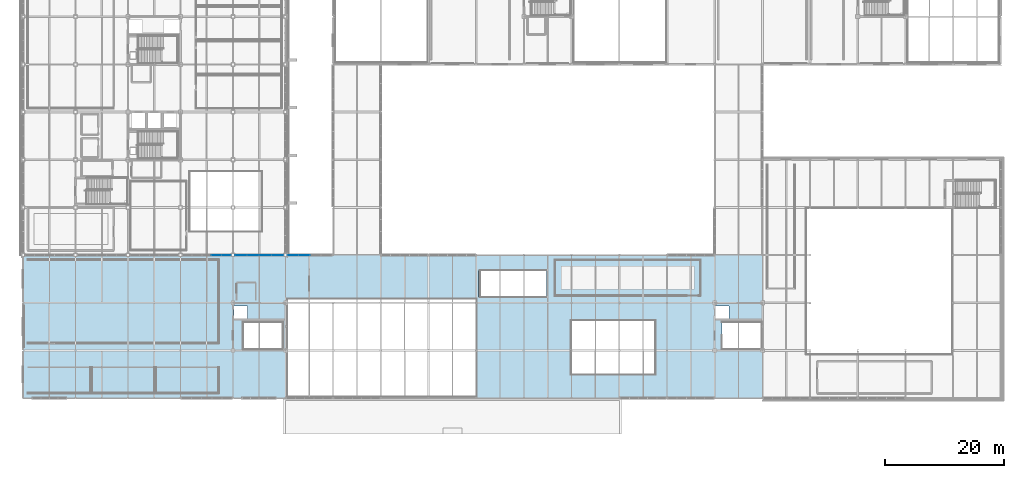
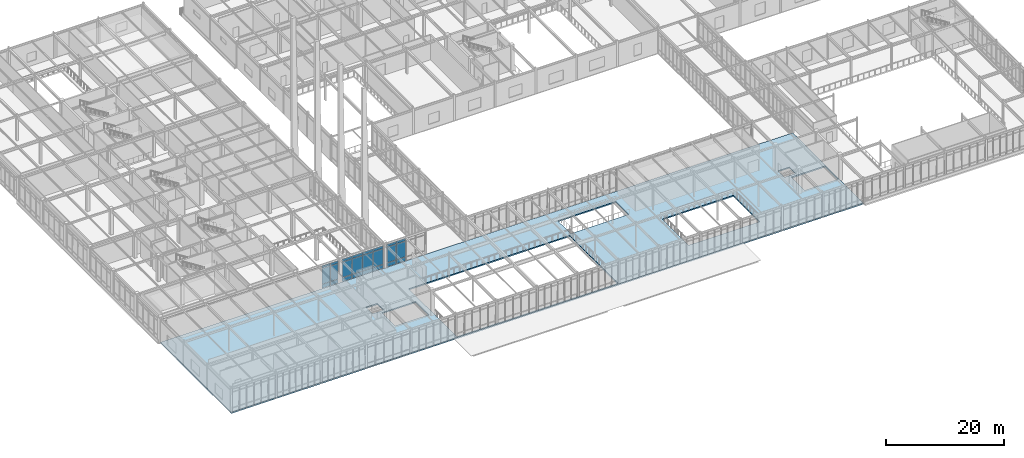
# One storey, part 85 of 184: 24 plates, 1 slab, 3 elements without a shape of their own.
"""IFC4 building model written with IfcOpenShell, lengths in metres."""

from ifc_helpers import new_model, si_unit, direction, frame, origin, origin_2d, place, context, subcontext, project, spatial, polyline, rectangle, outline, extrude, material, layer, layer_set, type_object, element, aggregate, save


model = new_model("IFC4")

# Units and contexts
model_context = context("Model", 3, precision=1e-05, world=origin(), true_north=direction((0.0, 1.0)))
body_context = subcontext(model_context, "Body", "Model", "MODEL_VIEW")
ifc_project = project(units=[si_unit("LENGTHUNIT", "METRE"), si_unit("AREAUNIT", "SQUARE_METRE"), si_unit("VOLUMEUNIT", "CUBIC_METRE"), si_unit("PLANEANGLEUNIT", "RADIAN"), si_unit("MASSUNIT", "GRAM", prefix="KILO")], contexts=[model_context])

# Site, building, storey
site_placement = place(None, origin())
site = spatial("IfcSite", under=ifc_project, at=site_placement, CompositionType="ELEMENT")
building_placement = place(site_placement, origin())
building = spatial("IfcBuilding", under=site, at=building_placement, Name="Zhaolan Boulevard Law Courts", CompositionType="ELEMENT")
storey_placement = place(building_placement, frame((0.0, 0.0, 5.39990234375)))
storey = spatial("IfcBuildingStorey", under=building, at=storey_placement, Name="L01", CompositionType="ELEMENT", Elevation=5.39990234375)

# Curtain wall, plates
ifc_material_1 = material(Name="Thermally broken aluminium and low-E glazing", Category="aluminium")
curtain_wall_type_1 = type_object("IfcCurtainWallType", Name="CURTAIN WALL M22", PredefinedType="USERDEFINED", material=ifc_material_1)
curtain_wall_1_placement = place(storey_placement, origin())
curtain_wall_1 = element("IfcCurtainWall", 1, at=curtain_wall_1_placement, inside=storey, type_object=curtain_wall_type_1, Name="Curtain Wall CW-L01-046", ObjectType="CURTAIN WALL", PredefinedType="USERDEFINED")
ifc_material_2 = material(Name="Acoustic laminated low-E glazing", Category="glass")
ifc_layer_1 = layer(ifc_material_2, 0.031982421875)
ifc_layer_set_1 = layer_set([ifc_layer_1])
plate_type = type_object("IfcPlateType", Name="CWPANEL LOW E32", PredefinedType="CURTAIN_PANEL", material=ifc_layer_set_1)
plate_1_placement = place(storey_placement, frame((34.062255859375, 30.0, 0.06494140625), z_axis=(0.0, 0.0, 1.0), x_axis=(-1.0, 0.0, 0.0)))
plate_1 = element("IfcPlate", 2, at=plate_1_placement, type_object=plate_type, Name="CW-L01-046 panel 1.1", PredefinedType="CURTAIN_PANEL", context=body_context, shape_type="SweptSolid", body=[
    extrude(rectangle(XDim=1.541748046875, YDim=0.031982421875, at=origin_2d()), origin(), (0.0, 0.0, 1.0), 0.802490234375),
])
plate_2_placement = place(storey_placement, frame((34.062255859375, 30.0, 0.9326171875), z_axis=(0.0, 0.0, 1.0), x_axis=(-1.0, 0.0, 0.0)))
plate_2 = element("IfcPlate", 3, at=plate_2_placement, type_object=plate_type, Name="CW-L01-046 panel 1.2", PredefinedType="CURTAIN_PANEL", context=body_context, shape_type="SweptSolid", body=[
    extrude(rectangle(XDim=1.541748046875, YDim=0.031982421875, at=origin_2d()), origin(), (0.0, 0.0, 1.0), 3.2080078125),
])
plate_3_placement = place(storey_placement, frame((34.062255859375, 30.0, 4.20556640625), z_axis=(0.0, 0.0, 1.0), x_axis=(-1.0, 0.0, 0.0)))
plate_3 = element("IfcPlate", 4, at=plate_3_placement, type_object=plate_type, Name="CW-L01-046 panel 1.3", PredefinedType="CURTAIN_PANEL", context=body_context, shape_type="SweptSolid", body=[
    extrude(rectangle(XDim=1.541748046875, YDim=0.031982421875, at=origin_2d()), origin(), (0.0, 0.0, 1.0), 0.552490234375),
])
plate_4_placement = place(storey_placement, frame((32.439208984375, 30.0, 0.06494140625), z_axis=(0.0, 0.0, 1.0), x_axis=(-1.0, 0.0, 0.0)))
plate_4 = element("IfcPlate", 5, at=plate_4_placement, type_object=plate_type, Name="CW-L01-046 panel 2.1", PredefinedType="CURTAIN_PANEL", context=body_context, shape_type="SweptSolid", body=[
    extrude(rectangle(XDim=1.57421875, YDim=0.031982421875, at=origin_2d()), origin(), (0.0, 0.0, 1.0), 0.802490234375),
])
plate_5_placement = place(storey_placement, frame((32.439208984375, 30.0, 0.9326171875), z_axis=(0.0, 0.0, 1.0), x_axis=(-1.0, 0.0, 0.0)))
plate_5 = element("IfcPlate", 6, at=plate_5_placement, type_object=plate_type, Name="CW-L01-046 panel 2.2", PredefinedType="CURTAIN_PANEL", context=body_context, shape_type="SweptSolid", body=[
    extrude(rectangle(XDim=1.57421875, YDim=0.031982421875, at=origin_2d()), origin(), (0.0, 0.0, 1.0), 3.2080078125),
])
plate_6_placement = place(storey_placement, frame((32.439208984375, 30.0, 4.20556640625), z_axis=(0.0, 0.0, 1.0), x_axis=(-1.0, 0.0, 0.0)))
plate_6 = element("IfcPlate", 7, at=plate_6_placement, type_object=plate_type, Name="CW-L01-046 panel 2.3", PredefinedType="CURTAIN_PANEL", context=body_context, shape_type="SweptSolid", body=[
    extrude(rectangle(XDim=1.57421875, YDim=0.031982421875, at=origin_2d()), origin(), (0.0, 0.0, 1.0), 0.552490234375),
])
aggregate(curtain_wall_1, [plate_1, plate_2, plate_3, plate_4, plate_5, plate_6])

ifc_material_3 = material(Name="Thermally broken aluminium and low-E glazing", Category="aluminium")
curtain_wall_type_2 = type_object("IfcCurtainWallType", Name="CURTAIN WALL M23", PredefinedType="USERDEFINED", material=ifc_material_3)
curtain_wall_2_placement = place(storey_placement, origin())
curtain_wall_2 = element("IfcCurtainWall", 8, at=curtain_wall_2_placement, inside=storey, type_object=curtain_wall_type_2, Name="Curtain Wall CW-L01-047", ObjectType="CURTAIN WALL", PredefinedType="USERDEFINED")
plate_7_placement = place(storey_placement, frame((42.6572265625, 30.0, 0.06494140625), z_axis=(0.0, 0.0, 1.0), x_axis=(-1.0, 0.0, 0.0)))
plate_7 = element("IfcPlate", 9, at=plate_7_placement, type_object=plate_type, Name="CW-L01-047 panel 1.1", PredefinedType="CURTAIN_PANEL", context=body_context, shape_type="SweptSolid", body=[
    extrude(rectangle(XDim=1.951416015625, YDim=0.031982421875, at=origin_2d()), origin(), (0.0, 0.0, 1.0), 0.802490234375),
])
plate_8_placement = place(storey_placement, frame((42.6572265625, 30.0, 0.9326171875), z_axis=(0.0, 0.0, 1.0), x_axis=(-1.0, 0.0, 0.0)))
plate_8 = element("IfcPlate", 10, at=plate_8_placement, type_object=plate_type, Name="CW-L01-047 panel 1.2", PredefinedType="CURTAIN_PANEL", context=body_context, shape_type="SweptSolid", body=[
    extrude(rectangle(XDim=1.951416015625, YDim=0.031982421875, at=origin_2d()), origin(), (0.0, 0.0, 1.0), 3.2080078125),
])
plate_9_placement = place(storey_placement, frame((42.6572265625, 30.0, 4.20556640625), z_axis=(0.0, 0.0, 1.0), x_axis=(-1.0, 0.0, 0.0)))
plate_9 = element("IfcPlate", 11, at=plate_9_placement, type_object=plate_type, Name="CW-L01-047 panel 1.3", PredefinedType="CURTAIN_PANEL", context=body_context, shape_type="SweptSolid", body=[
    extrude(rectangle(XDim=1.951416015625, YDim=0.031982421875, at=origin_2d()), origin(), (0.0, 0.0, 1.0), 0.552490234375),
])
plate_10_placement = place(storey_placement, frame((40.62451171875, 30.0, 0.06494140625), z_axis=(0.0, 0.0, 1.0), x_axis=(-1.0, 0.0, 0.0)))
plate_10 = element("IfcPlate", 12, at=plate_10_placement, type_object=plate_type, Name="CW-L01-047 panel 2.1", PredefinedType="CURTAIN_PANEL", context=body_context, shape_type="SweptSolid", body=[
    extrude(rectangle(XDim=1.98388671875, YDim=0.031982421875, at=origin_2d()), origin(), (0.0, 0.0, 1.0), 0.802490234375),
])
plate_11_placement = place(storey_placement, frame((40.62451171875, 30.0, 0.9326171875), z_axis=(0.0, 0.0, 1.0), x_axis=(-1.0, 0.0, 0.0)))
plate_11 = element("IfcPlate", 13, at=plate_11_placement, type_object=plate_type, Name="CW-L01-047 panel 2.2", PredefinedType="CURTAIN_PANEL", context=body_context, shape_type="SweptSolid", body=[
    extrude(rectangle(XDim=1.98388671875, YDim=0.031982421875, at=origin_2d()), origin(), (0.0, 0.0, 1.0), 3.2080078125),
])
plate_12_placement = place(storey_placement, frame((40.62451171875, 30.0, 4.20556640625), z_axis=(0.0, 0.0, 1.0), x_axis=(-1.0, 0.0, 0.0)))
plate_12 = element("IfcPlate", 14, at=plate_12_placement, type_object=plate_type, Name="CW-L01-047 panel 2.3", PredefinedType="CURTAIN_PANEL", context=body_context, shape_type="SweptSolid", body=[
    extrude(rectangle(XDim=1.98388671875, YDim=0.031982421875, at=origin_2d()), origin(), (0.0, 0.0, 1.0), 0.552490234375),
])
plate_13_placement = place(storey_placement, frame((38.575439453125, 30.0, 0.06494140625), z_axis=(0.0, 0.0, 1.0), x_axis=(-1.0, 0.0, 0.0)))
plate_13 = element("IfcPlate", 15, at=plate_13_placement, type_object=plate_type, Name="CW-L01-047 panel 3.1", PredefinedType="CURTAIN_PANEL", context=body_context, shape_type="SweptSolid", body=[
    extrude(rectangle(XDim=1.98388671875, YDim=0.031982421875, at=origin_2d()), origin(), (0.0, 0.0, 1.0), 0.802490234375),
])
plate_14_placement = place(storey_placement, frame((38.575439453125, 30.0, 0.9326171875), z_axis=(0.0, 0.0, 1.0), x_axis=(-1.0, 0.0, 0.0)))
plate_14 = element("IfcPlate", 16, at=plate_14_placement, type_object=plate_type, Name="CW-L01-047 panel 3.2", PredefinedType="CURTAIN_PANEL", context=body_context, shape_type="SweptSolid", body=[
    extrude(rectangle(XDim=1.98388671875, YDim=0.031982421875, at=origin_2d()), origin(), (0.0, 0.0, 1.0), 3.2080078125),
])
plate_15_placement = place(storey_placement, frame((38.575439453125, 30.0, 4.20556640625), z_axis=(0.0, 0.0, 1.0), x_axis=(-1.0, 0.0, 0.0)))
plate_15 = element("IfcPlate", 17, at=plate_15_placement, type_object=plate_type, Name="CW-L01-047 panel 3.3", PredefinedType="CURTAIN_PANEL", context=body_context, shape_type="SweptSolid", body=[
    extrude(rectangle(XDim=1.98388671875, YDim=0.031982421875, at=origin_2d()), origin(), (0.0, 0.0, 1.0), 0.552490234375),
])
plate_16_placement = place(storey_placement, frame((36.542724609375, 30.0, 0.06494140625), z_axis=(0.0, 0.0, 1.0), x_axis=(-1.0, 0.0, 0.0)))
plate_16 = element("IfcPlate", 18, at=plate_16_placement, type_object=plate_type, Name="CW-L01-047 panel 4.1", PredefinedType="CURTAIN_PANEL", context=body_context, shape_type="SweptSolid", body=[
    extrude(rectangle(XDim=1.951416015625, YDim=0.031982421875, at=origin_2d()), origin(), (0.0, 0.0, 1.0), 0.802490234375),
])
plate_17_placement = place(storey_placement, frame((36.542724609375, 30.0, 0.9326171875), z_axis=(0.0, 0.0, 1.0), x_axis=(-1.0, 0.0, 0.0)))
plate_17 = element("IfcPlate", 19, at=plate_17_placement, type_object=plate_type, Name="CW-L01-047 panel 4.2", PredefinedType="CURTAIN_PANEL", context=body_context, shape_type="SweptSolid", body=[
    extrude(rectangle(XDim=1.951416015625, YDim=0.031982421875, at=origin_2d()), origin(), (0.0, 0.0, 1.0), 3.2080078125),
])
plate_18_placement = place(storey_placement, frame((36.542724609375, 30.0, 4.20556640625), z_axis=(0.0, 0.0, 1.0), x_axis=(-1.0, 0.0, 0.0)))
plate_18 = element("IfcPlate", 20, at=plate_18_placement, type_object=plate_type, Name="CW-L01-047 panel 4.3", PredefinedType="CURTAIN_PANEL", context=body_context, shape_type="SweptSolid", body=[
    extrude(rectangle(XDim=1.951416015625, YDim=0.031982421875, at=origin_2d()), origin(), (0.0, 0.0, 1.0), 0.552490234375),
])
aggregate(curtain_wall_2, [plate_7, plate_8, plate_9, plate_10, plate_11, plate_12, plate_13, plate_14, plate_15, plate_16, plate_17, plate_18])

ifc_material_4 = material(Name="Thermally broken aluminium and low-E glazing", Category="aluminium")
curtain_wall_type_3 = type_object("IfcCurtainWallType", Name="CURTAIN WALL M24", PredefinedType="USERDEFINED", material=ifc_material_4)
curtain_wall_3_placement = place(storey_placement, origin())
curtain_wall_3 = element("IfcCurtainWall", 21, at=curtain_wall_3_placement, inside=storey, type_object=curtain_wall_type_3, Name="Curtain Wall CW-L01-048", ObjectType="CURTAIN WALL", PredefinedType="USERDEFINED")
plate_19_placement = place(storey_placement, frame((47.14111328125, 30.0, 0.06494140625), z_axis=(0.0, 0.0, 1.0), x_axis=(-1.0, 0.0, 0.0)))
plate_19 = element("IfcPlate", 22, at=plate_19_placement, type_object=plate_type, Name="CW-L01-048 panel 3.1", PredefinedType="CURTAIN_PANEL", context=body_context, shape_type="SweptSolid", body=[
    extrude(rectangle(XDim=1.82763671875, YDim=0.031982421875, at=origin_2d()), origin(), (0.0, 0.0, 1.0), 0.802490234375),
])
plate_20_placement = place(storey_placement, frame((47.14111328125, 30.0, 0.9326171875), z_axis=(0.0, 0.0, 1.0), x_axis=(-1.0, 0.0, 0.0)))
plate_20 = element("IfcPlate", 23, at=plate_20_placement, type_object=plate_type, Name="CW-L01-048 panel 3.2", PredefinedType="CURTAIN_PANEL", context=body_context, shape_type="SweptSolid", body=[
    extrude(rectangle(XDim=1.82763671875, YDim=0.031982421875, at=origin_2d()), origin(), (0.0, 0.0, 1.0), 3.2080078125),
])
plate_21_placement = place(storey_placement, frame((47.14111328125, 30.0, 4.20556640625), z_axis=(0.0, 0.0, 1.0), x_axis=(-1.0, 0.0, 0.0)))
plate_21 = element("IfcPlate", 24, at=plate_21_placement, type_object=plate_type, Name="CW-L01-048 panel 3.3", PredefinedType="CURTAIN_PANEL", context=body_context, shape_type="SweptSolid", body=[
    extrude(rectangle(XDim=1.82763671875, YDim=0.031982421875, at=origin_2d()), origin(), (0.0, 0.0, 1.0), 0.552490234375),
])
plate_22_placement = place(storey_placement, frame((45.2646484375, 30.0, 0.06494140625), z_axis=(0.0, 0.0, 1.0), x_axis=(-1.0, 0.0, 0.0)))
plate_22 = element("IfcPlate", 25, at=plate_22_placement, type_object=plate_type, Name="CW-L01-048 panel 4.1", PredefinedType="CURTAIN_PANEL", context=body_context, shape_type="SweptSolid", body=[
    extrude(rectangle(XDim=1.795166015625, YDim=0.031982421875, at=origin_2d()), origin(), (0.0, 0.0, 1.0), 0.802490234375),
])
plate_23_placement = place(storey_placement, frame((45.2646484375, 30.0, 0.9326171875), z_axis=(0.0, 0.0, 1.0), x_axis=(-1.0, 0.0, 0.0)))
plate_23 = element("IfcPlate", 26, at=plate_23_placement, type_object=plate_type, Name="CW-L01-048 panel 4.2", PredefinedType="CURTAIN_PANEL", context=body_context, shape_type="SweptSolid", body=[
    extrude(rectangle(XDim=1.795166015625, YDim=0.031982421875, at=origin_2d()), origin(), (0.0, 0.0, 1.0), 3.2080078125),
])
plate_24_placement = place(storey_placement, frame((45.2646484375, 30.0, 4.20556640625), z_axis=(0.0, 0.0, 1.0), x_axis=(-1.0, 0.0, 0.0)))
plate_24 = element("IfcPlate", 27, at=plate_24_placement, type_object=plate_type, Name="CW-L01-048 panel 4.3", PredefinedType="CURTAIN_PANEL", context=body_context, shape_type="SweptSolid", body=[
    extrude(rectangle(XDim=1.795166015625, YDim=0.031982421875, at=origin_2d()), origin(), (0.0, 0.0, 1.0), 0.552490234375),
])
aggregate(curtain_wall_3, [plate_19, plate_20, plate_21, plate_22, plate_23, plate_24])

# Slab
ifc_material_5 = material(Name="Concrete C40", Category="concrete")
ifc_layer_2 = layer(ifc_material_5, 0.260009765625)
ifc_layer_set_2 = layer_set([ifc_layer_2])
slab_type = type_object("IfcSlabType", Name="FLOOR SLAB 260", PredefinedType="FLOOR", material=ifc_layer_set_2)
slab_placement = place(storey_placement, frame((0.0, 0.0, -0.260009765625)))
element("IfcSlab", 28, at=slab_placement, inside=storey, type_object=slab_type, Name="Slab SLB-L01-V4", PredefinedType="FLOOR", context=body_context, shape_type="SweptSolid", body=[
    extrude(outline(polyline([(0.0, 6.0), (124.0, 6.0), (124.0, 30.0), (0.0, 30.0), (0.0, 6.0)]), holes=[polyline([(35.375, 19.300048828125), (37.625, 19.300048828125), (37.625, 21.5), (35.375, 21.5), (35.375, 19.300048828125)]), polyline([(116.175048828125, 19.300048828125), (118.425048828125, 19.300048828125), (118.425048828125, 21.5), (116.175048828125, 21.5), (116.175048828125, 19.300048828125)]), polyline([(36.949951171875, 14.25), (43.550048828125, 14.25), (43.550048828125, 18.75), (36.949951171875, 18.75), (36.949951171875, 14.25)]), polyline([(117.25, 14.25), (123.85009765625, 14.25), (123.85009765625, 18.75), (117.25, 18.75), (117.25, 14.25)]), polyline([(76.39990234375, 23.0), (87.800048828125, 23.0), (87.800048828125, 27.39990234375), (76.39990234375, 27.39990234375), (76.39990234375, 23.0)]), polyline([(44.39990234375, 6.300048828125), (76.0, 6.300048828125), (76.0, 22.60009765625), (44.39990234375, 22.60009765625), (44.39990234375, 6.300048828125)]), polyline([(92.0, 10.0), (106.0, 10.0), (106.0, 19.0), (92.0, 19.0), (92.0, 10.0)])]), origin(), (0.0, 0.0, 1.0), 0.260009765625),
])

save(model, "model.ifc")
